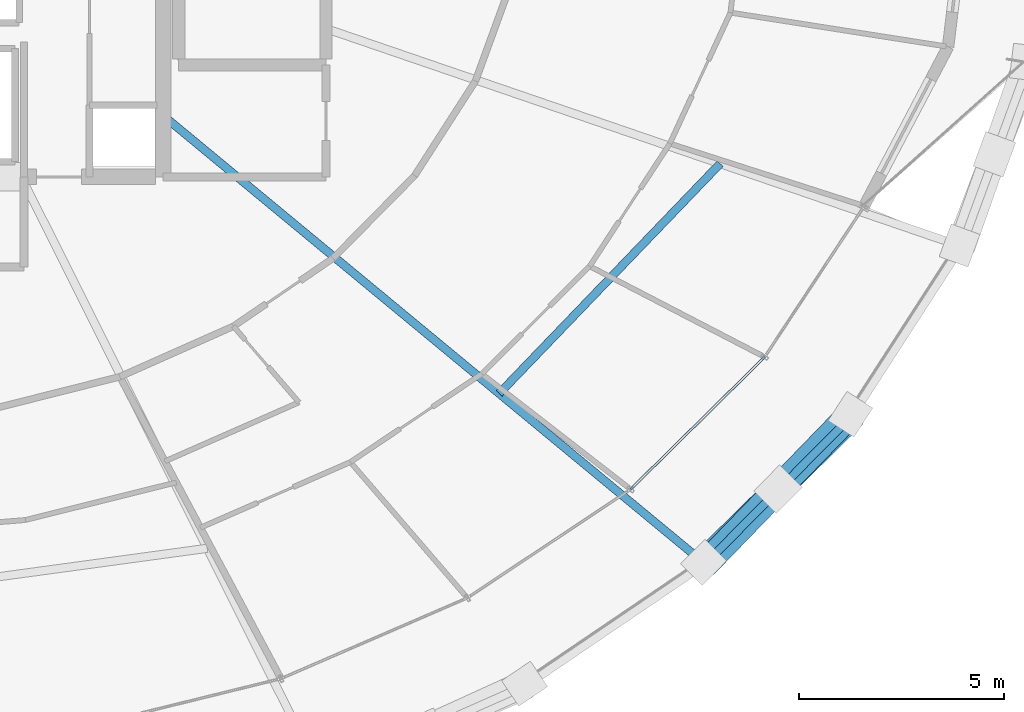
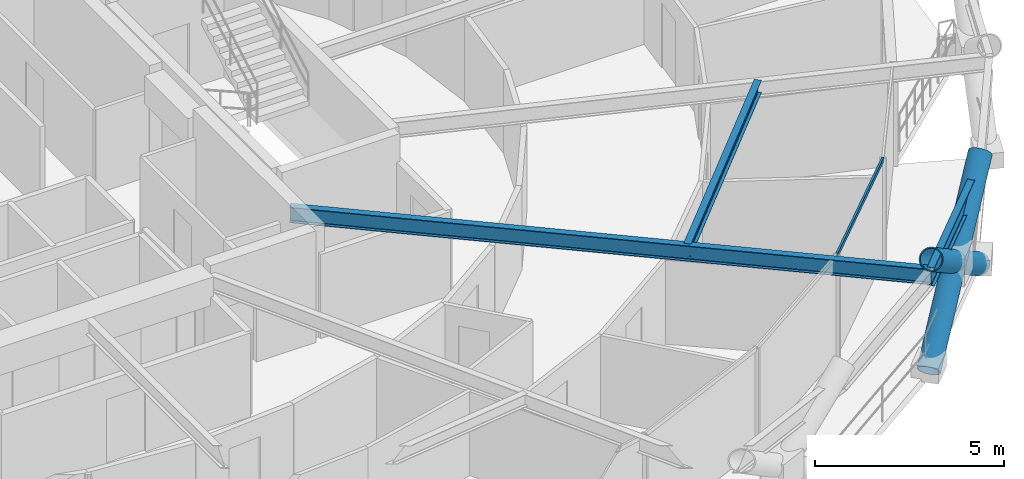
# One storey, part 11 of 21: 4 members, 3 beams, 1 element without a shape of its own.
"""IFC4 building model written with IfcOpenShell, lengths in metres."""

from ifc_helpers import new_model, si_unit, direction, frame, origin, origin_2d, place, context, subcontext, project, spatial, hollow_rectangle, hollow_circle, i_section, extrude, material, layer, layer_set, material_profile, profile_set, type_object, element, aggregate, save


model = new_model("IFC4")

# Units and contexts
model_context = context("Model", 3, precision=1e-05, world=origin(), true_north=direction((0.0, 1.0)))
body_context = subcontext(model_context, "Body", "Model", "MODEL_VIEW")
ifc_project = project(units=[si_unit("LENGTHUNIT", "METRE"), si_unit("AREAUNIT", "SQUARE_METRE"), si_unit("VOLUMEUNIT", "CUBIC_METRE"), si_unit("PLANEANGLEUNIT", "RADIAN"), si_unit("MASSUNIT", "GRAM", prefix="KILO")], contexts=[model_context])

# Site, building, storey
site_placement = place(None, origin())
site = spatial("IfcSite", under=ifc_project, at=site_placement, CompositionType="ELEMENT")
building_placement = place(site_placement, origin())
building = spatial("IfcBuilding", under=site, at=building_placement, Name="Veldorina Hangang Commons", CompositionType="ELEMENT")
storey_placement = place(building_placement, frame((0.0, 0.0, 66.39990234375)))
storey = spatial("IfcBuildingStorey", under=building, at=storey_placement, Name="L16", CompositionType="ELEMENT", Elevation=66.39990234375)

# Beams
ifc_material_1 = material(Name="Steel SM420-TMC", Category="steel")
ifc_material_profile_1 = material_profile(ifc_material_1, i_section(OverallWidth=0.199951171875, OverallDepth=0.5, WebThickness=0.010009765625, FlangeThickness=0.01611328125, FilletRadius=0.01611328125, at=origin_2d()), Name="H-500x200x10x16")
ifc_profile_set_1 = profile_set([ifc_material_profile_1], Name="Steel SM420-TMC")
beam_type_1 = type_object("IfcBeamType", Name="BM-FG500", PredefinedType="BEAM", material=ifc_profile_set_1)
beam_1_placement = place(storey_placement, frame((39.199951171875, 18.04541015625, 3.090087890625), z_axis=(0.770611853729, -0.637304770806, 0.0), x_axis=(0.637304770806, 0.770611853729, 0.0)))
element("IfcBeam", 1, at=beam_1_placement, inside=storey, type_object=beam_type_1, Name="L16 radial floor girder 15", PredefinedType="BEAM", context=body_context, shape_type="SweptSolid", body=[
    extrude(i_section(OverallWidth=0.199951171875, OverallDepth=0.5, WebThickness=0.010009765625, FlangeThickness=0.01611328125, FilletRadius=0.01611328125, at=origin_2d()), origin(), (0.0, 0.0, 1.0), 17.180419921875),
])
ifc_material_2 = material(Name="Steel SM355-TMC", Category="steel")
ifc_material_profile_2 = material_profile(ifc_material_2, i_section(OverallWidth=0.199951171875, OverallDepth=0.39990234375, WebThickness=0.008056640625, FlangeThickness=0.012939453125, FilletRadius=0.012939453125, at=origin_2d()), Name="H-400x200x8x13")
ifc_profile_set_2 = profile_set([ifc_material_profile_2], Name="Steel SM355-TMC")
beam_type_2 = type_object("IfcBeamType", Name="BM-JST400", PredefinedType="JOIST", material=ifc_profile_set_2)
beam_2_placement = place(storey_placement, frame((47.408447265625, 11.2568359375, 3.14013671875), z_axis=(0.692957111706, 0.720978807828, 0.0), x_axis=(-0.720978807828, 0.692957111706, 0.0)))
element("IfcBeam", 2, at=beam_2_placement, inside=storey, type_object=beam_type_2, Name="L16 secondary floor joist 15", PredefinedType="JOIST", context=body_context, shape_type="SweptSolid", body=[
    extrude(i_section(OverallWidth=0.199951171875, OverallDepth=0.39990234375, WebThickness=0.008056640625, FlangeThickness=0.012939453125, FilletRadius=0.012939453125, at=origin_2d()), origin(), (0.0, 0.0, 1.0), 7.7890625),
])
ifc_material_profile_3 = material_profile(ifc_material_1, i_section(OverallWidth=0.199951171875, OverallDepth=0.60009765625, WebThickness=0.010986328125, FlangeThickness=0.01708984375, FilletRadius=0.01806640625, at=origin_2d()), Name="H-600x200x11x17")
ifc_profile_set_3 = profile_set([ifc_material_profile_3], Name="Steel SM420-TMC")
beam_type_3 = type_object("IfcBeamType", Name="BM-RB600", PredefinedType="BEAM", material=ifc_profile_set_3)
beam_3_placement = place(storey_placement, frame((52.439453125, 7.09619140625, 3.0400390625), z_axis=(0.704374726504, 0.709828320556, 0.0), x_axis=(-0.709828320556, 0.704374726504, 0.0)))
element("IfcBeam", 3, at=beam_3_placement, inside=storey, type_object=beam_type_3, Name="L16 perimeter hoop ring beam 28", PredefinedType="BEAM", context=body_context, shape_type="SweptSolid", body=[
    extrude(i_section(OverallWidth=0.199951171875, OverallDepth=0.60009765625, WebThickness=0.010986328125, FlangeThickness=0.01708984375, FilletRadius=0.01806640625, at=origin_2d()), origin(), (0.0, 0.0, 1.0), 5.103515625),
])

# Curtain wall, member
ifc_material_3 = material(Name="Glass Low-E Triple IGU", Category="glass")
ifc_layer = layer(ifc_material_3, 0.179931640625)
ifc_layer_set = layer_set([ifc_layer], Name="Glass Low-E Triple IGU")
curtain_wall_type = type_object("IfcCurtainWallType", Name="CW-SYS-Z1", PredefinedType="NOTDEFINED", material=ifc_layer_set)
curtain_wall_placement = place(storey_placement, origin())
curtain_wall = element("IfcCurtainWall", 4, at=curtain_wall_placement, inside=storey, type_object=curtain_wall_type, Name="L16 unitised curtain wall CW-L16-R2", PredefinedType="NOTDEFINED")
ifc_material_4 = material(Name="Aluminium Anodized AA6063-T6", Category="aluminium")
ifc_material_profile_4 = material_profile(ifc_material_4, hollow_rectangle(XDim=0.06005859375, YDim=0.139892578125, WallThickness=0.00341796875, at=origin_2d()), Name="ALU-RHS-140x60x3.5")
ifc_profile_set_4 = profile_set([ifc_material_profile_4], Name="Aluminium Anodized AA6063-T6")
member_type_1 = type_object("IfcMemberType", Name="CW-TRN-140", PredefinedType="USERDEFINED", material=ifc_profile_set_4)
member_1_placement = place(storey_placement, frame((50.619140625, 8.91650390625, 3.260009765625), z_axis=(0.711681496947, 0.702502275373, 0.0), x_axis=(-0.702502275373, 0.711681496947, 0.0)))
member_1 = element("IfcMember", 5, at=member_1_placement, type_object=member_type_1, Name="CW-L16-R2 facet 4 transom 1", ObjectType="TRANSOM", PredefinedType="USERDEFINED", context=body_context, shape_type="SweptSolid", body=[
    extrude(hollow_rectangle(XDim=0.06005859375, YDim=0.139892578125, WallThickness=0.00341796875, at=origin_2d()), origin(), (0.0, 0.0, 1.0), 4.601318359375),
])
aggregate(curtain_wall, [member_1])

# Members
ifc_material_5 = material(Name="Steel SM460-TMC", Category="steel")
ifc_material_profile_5 = material_profile(ifc_material_5, hollow_circle(Radius=0.324951171875, WallThickness=0.031982421875, at=origin_2d()), Name="CHS-650x32")
ifc_profile_set_5 = profile_set([ifc_material_profile_5], Name="Steel SM460-TMC")
member_type_2 = type_object("IfcMemberType", Name="DG-CHS650", PredefinedType="BRACE", material=ifc_profile_set_5)
member_2_placement = place(storey_placement, frame((52.401123046875, 7.134521484375, 0.0), z_axis=(0.582884648174, 0.572840977065, 0.57628005511), x_axis=(-0.700935301449, 0.713224861585, 0.0)))
element("IfcMember", 6, at=member_2_placement, inside=storey, type_object=member_type_2, Name="L16 continuous perimeter diagrid brace 28", PredefinedType="BRACE", context=body_context, shape_type="SweptSolid", body=[
    extrude(hollow_circle(Radius=0.324951171875, WallThickness=0.031982421875, at=origin_2d()), origin(), (0.0, 0.0, 1.0), 6.2470703125),
])
member_3_placement = place(storey_placement, frame((55.989013671875, 10.748779296875, 0.0), z_axis=(-0.568104191163, -0.586602064937, 0.577196366408), x_axis=(0.718342146406, -0.69568998893, 0.0)))
element("IfcMember", 7, at=member_3_placement, inside=storey, type_object=member_type_2, Name="L16 split perimeter diagrid lower brace 29", PredefinedType="BRACE", context=body_context, shape_type="SweptSolid", body=[
    extrude(hollow_circle(Radius=0.324951171875, WallThickness=0.031982421875, at=origin_2d()), origin(), (0.0, 0.0, 1.0), 3.11474609375),
])
member_4_placement = place(storey_placement, frame((54.219482421875, 8.921630859375, 1.7978515625), z_axis=(-0.567810757072, -0.586888948304, 0.577193474072), x_axis=(0.718691659285, -0.695328914165, 0.0)))
element("IfcMember", 8, at=member_4_placement, inside=storey, type_object=member_type_2, Name="L16 split perimeter diagrid upper brace 29", PredefinedType="BRACE", context=body_context, shape_type="SweptSolid", body=[
    extrude(hollow_circle(Radius=0.324951171875, WallThickness=0.031982421875, at=origin_2d()), origin(), (0.0, 0.0, 1.0), 3.122314453125),
])

save(model, "model.ifc")
